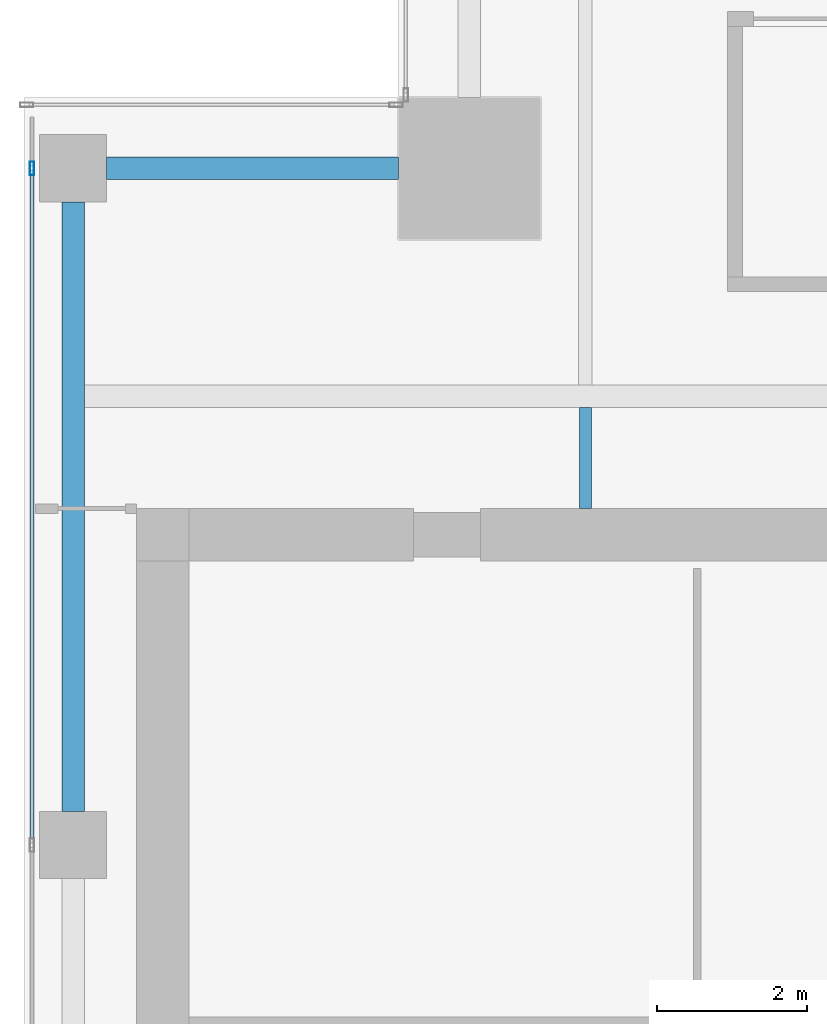
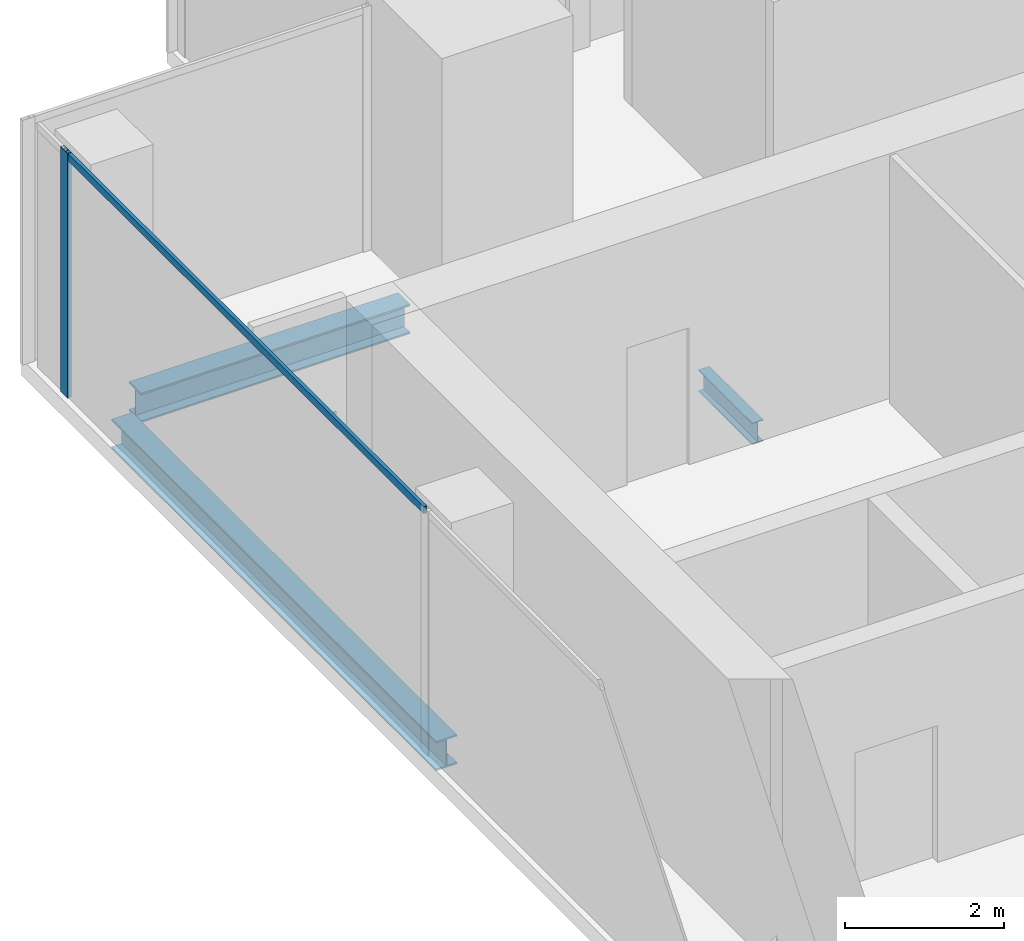
# One storey, part 16 of 36: 3 beams, 2 members, 1 element without a shape of its own.
"""IFC4 building model written with IfcOpenShell, lengths in metres."""

from ifc_helpers import new_model, si_unit, direction, frame, origin, origin_2d, place, context, subcontext, project, spatial, hollow_rectangle, i_section, extrude, source, transform, mapped, material, material_profile, profile_set, type_object, element, aggregate, save


model = new_model("IFC4")

# Units and contexts
model_context = context("Model", 3, precision=1e-05, world=origin(), true_north=direction((0.0, 1.0)))
body_context = subcontext(model_context, "Body", "Model", "MODEL_VIEW")
ifc_project = project(units=[si_unit("LENGTHUNIT", "METRE"), si_unit("AREAUNIT", "SQUARE_METRE"), si_unit("VOLUMEUNIT", "CUBIC_METRE"), si_unit("PLANEANGLEUNIT", "RADIAN"), si_unit("MASSUNIT", "GRAM", prefix="KILO")], contexts=[model_context])

# Site, building, storey
site_placement = place(None, origin())
site = spatial("IfcSite", under=ifc_project, at=site_placement, CompositionType="ELEMENT")
building_placement = place(site_placement, origin())
building = spatial("IfcBuilding", under=site, at=building_placement, Name="Khomas Fold Tower", CompositionType="ELEMENT")
storey_placement = place(building_placement, frame((0.0, 0.0, 230.199951171875)))
storey = spatial("IfcBuildingStorey", under=building, at=storey_placement, Name="L51", CompositionType="ELEMENT", Elevation=230.199951171875)

# Beams
ifc_material_1 = material(Name="Steel S355", Category="steel")
ifc_material_profile_1 = material_profile(ifc_material_1, i_section(OverallWidth=0.159912109375, OverallDepth=0.330078125, WebThickness=0.007568359375, FlangeThickness=0.011474609375, at=origin_2d()), Name="IPE 330")
ifc_profile_set_1 = profile_set([ifc_material_profile_1], Name="Steel S355")
beam_type_1 = type_object("IfcBeamType", Name="IPE 330 beam JB1", PredefinedType="BEAM", material=ifc_profile_set_1)
shared_shape_1 = source(origin(), body_context, "Body", "SweptSolid", [
    extrude(i_section(OverallWidth=0.159912109375, OverallDepth=0.330078125, WebThickness=0.007568359375, FlangeThickness=0.011474609375, at=origin_2d()), origin(), (0.0, 0.0, 1.0), 1.35009765625),
])
beam_1_placement = place(storey_placement, frame((12.0, 39.0, -0.4150390625), z_axis=(0.0, 1.0, 0.0), x_axis=(-1.0, 0.0, 0.0)))
element("IfcBeam", 1, at=beam_1_placement, inside=storey, type_object=beam_type_1, Name="JB1", PredefinedType="BEAM", context=body_context, shape_type="MappedRepresentation", body=[
    mapped(shared_shape_1, transform((0.0, 0.0, 0.0))),
])
ifc_material_2 = material(Name="Steel S355", Category="steel")
ifc_material_profile_2 = material_profile(ifc_material_2, i_section(OverallWidth=0.300048828125, OverallDepth=0.449951171875, WebThickness=0.013916015625, FlangeThickness=0.02587890625, at=origin_2d()), Name="HE 450 B")
ifc_profile_set_2 = profile_set([ifc_material_profile_2], Name="Steel S355")
beam_type_2 = type_object("IfcBeamType", Name="HE 450 B spandrel SB4", PredefinedType="SPANDREL", material=ifc_profile_set_2)
shared_shape_2 = source(origin(), body_context, "Body", "SweptSolid", [
    extrude(i_section(OverallWidth=0.300048828125, OverallDepth=0.449951171875, WebThickness=0.013916015625, FlangeThickness=0.02587890625, at=origin_2d()), origin(), (0.0, 0.0, 1.0), 8.150146484375),
])
beam_2_placement = place(storey_placement, frame((5.14990234375, 34.949951171875, -0.474853515625), z_axis=(0.0, 1.0, 0.0), x_axis=(-1.0, 0.0, 0.0)))
element("IfcBeam", 2, at=beam_2_placement, inside=storey, type_object=beam_type_2, Name="SB4", PredefinedType="SPANDREL", context=body_context, shape_type="MappedRepresentation", body=[
    mapped(shared_shape_2, transform((0.0, 0.0, 0.0))),
])
shared_shape_3 = source(origin(), body_context, "Body", "SweptSolid", [
    extrude(i_section(OverallWidth=0.300048828125, OverallDepth=0.449951171875, WebThickness=0.013916015625, FlangeThickness=0.02587890625, at=origin_2d()), origin(), (0.0, 0.0, 1.0), 3.89990234375),
])
beam_3_placement = place(storey_placement, frame((5.60009765625, 43.550048828125, -0.474853515625), z_axis=(1.0, 0.0, 0.0), x_axis=(0.0, 1.0, 0.0)))
element("IfcBeam", 3, at=beam_3_placement, inside=storey, type_object=beam_type_2, Name="SB4", PredefinedType="SPANDREL", context=body_context, shape_type="MappedRepresentation", body=[
    mapped(shared_shape_3, transform((0.0, 0.0, 0.0))),
])

# Curtain wall, members
ifc_material_3 = material(Name="Aluminium framed double glazing", Category="aluminium")
curtain_wall_type = type_object("IfcCurtainWallType", Name="SK-Unitised clear-glass wall, office floors CW2", PredefinedType="NOTDEFINED", material=ifc_material_3)
curtain_wall_placement = place(storey_placement, origin())
curtain_wall = element("IfcCurtainWall", 4, at=curtain_wall_placement, inside=storey, type_object=curtain_wall_type, Name="CW2 run L51 09-0", PredefinedType="NOTDEFINED")
ifc_material_4 = material(Name="Aluminium", Category="aluminium")
ifc_material_profile_3 = material_profile(ifc_material_4, hollow_rectangle(XDim=0.06005859375, YDim=0.179931640625, WallThickness=0.00390625, at=origin_2d()), Name="SK-Unitised clear-glass wall, office floors mullion CW2-M")
ifc_profile_set_3 = profile_set([ifc_material_profile_3], Name="Aluminium")
member_type_1 = type_object("IfcMemberType", Name="SK-Unitised clear-glass wall, office floors mullion CW2-M", PredefinedType="MULLION", material=ifc_profile_set_3)
shared_shape_4 = source(origin(), body_context, "Body", "SweptSolid", [
    extrude(hollow_rectangle(XDim=0.06005859375, YDim=0.179931640625, WallThickness=0.00390625, at=origin_2d()), origin(), (0.0, 0.0, 1.0), 3.75),
])
member_1_placement = place(storey_placement, frame((4.60009765625, 43.550048828125, 0.0), z_axis=(0.0, 0.0, 1.0), x_axis=(1.0, 0.0, 0.0)))
member_1 = element("IfcMember", 5, at=member_1_placement, type_object=member_type_1, Name="CW2 mullion 2", PredefinedType="MULLION", context=body_context, shape_type="MappedRepresentation", body=[
    mapped(shared_shape_4, transform((0.0, 0.0, 0.0))),
])
ifc_material_5 = material(Name="Aluminium", Category="aluminium")
ifc_material_profile_4 = material_profile(ifc_material_5, hollow_rectangle(XDim=0.050048828125, YDim=0.110107421875, WallThickness=0.00390625, at=origin_2d()), Name="SK-Unitised clear-glass wall, office floors transom CW2-T")
ifc_profile_set_4 = profile_set([ifc_material_profile_4], Name="Aluminium")
member_type_2 = type_object("IfcMemberType", Name="SK-Unitised clear-glass wall, office floors transom CW2-T", PredefinedType="USERDEFINED", material=ifc_profile_set_4)
shared_shape_5 = source(origin(), body_context, "Body", "SweptSolid", [
    extrude(hollow_rectangle(XDim=0.050048828125, YDim=0.110107421875, WallThickness=0.00390625, at=origin_2d()), origin(), (0.0, 0.0, 1.0), 8.989990234375),
])
member_2_placement = place(storey_placement, frame((4.60009765625, 43.52001953125, 3.695068359375), z_axis=(0.0, -1.0, 0.0), x_axis=(1.0, 0.0, 0.0)))
member_2 = element("IfcMember", 6, at=member_2_placement, type_object=member_type_2, Name="CW2 transom 2", ObjectType="TRANSOM", PredefinedType="USERDEFINED", context=body_context, shape_type="MappedRepresentation", body=[
    mapped(shared_shape_5, transform((0.0, 0.0, 0.0))),
])
aggregate(curtain_wall, [member_1, member_2])

save(model, "model.ifc")
